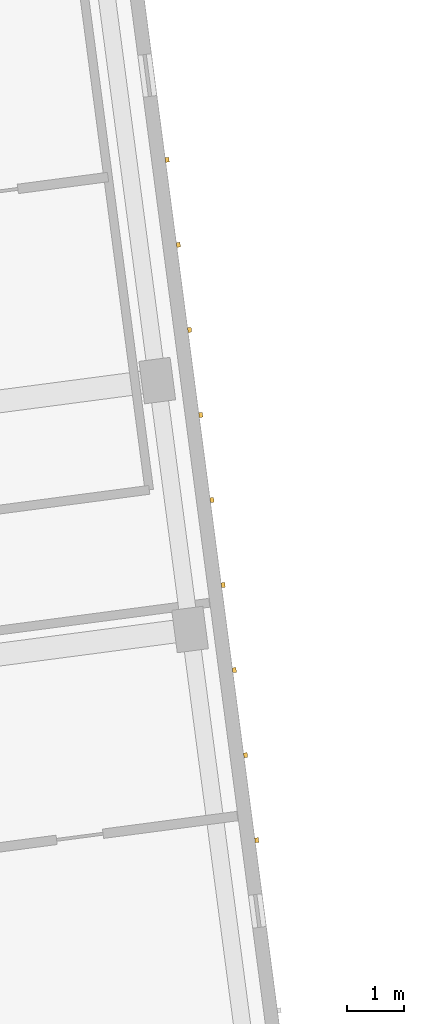
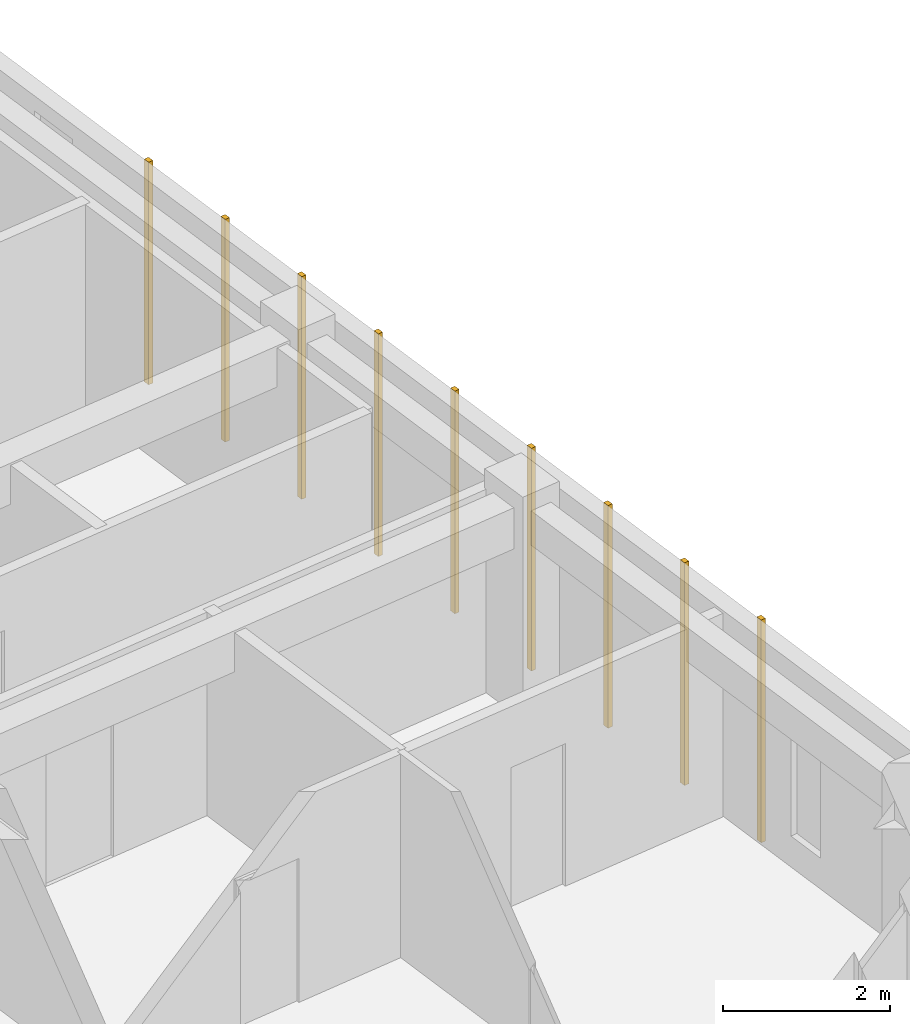
# One storey, part 50 of 68: 9 coverings.
"""IFC4 building model written with IfcOpenShell, lengths in metres."""

from ifc_helpers import new_model, si_unit, direction, frame, origin, origin_2d, place, context, subcontext, project, spatial, rectangle, extrude, material, layer, layer_set, type_object, element, save


model = new_model("IFC4")

# Units and contexts
model_context = context("Model", 3, precision=1e-05, world=origin(), true_north=direction((0.0, 1.0)))
body_context = subcontext(model_context, "Body", "Model", "MODEL_VIEW")
ifc_project = project(units=[si_unit("LENGTHUNIT", "METRE"), si_unit("AREAUNIT", "SQUARE_METRE"), si_unit("VOLUMEUNIT", "CUBIC_METRE"), si_unit("PLANEANGLEUNIT", "RADIAN"), si_unit("MASSUNIT", "GRAM", prefix="KILO")], contexts=[model_context])

# Site, building, storey
site_placement = place(None, origin())
site = spatial("IfcSite", under=ifc_project, at=site_placement, CompositionType="ELEMENT")
building_placement = place(site_placement, origin())
building = spatial("IfcBuilding", under=site, at=building_placement, Name="Kestramere Prow Commons", CompositionType="ELEMENT")
storey_placement = place(building_placement, frame((0.0, 0.0, 18.14990234375)))
storey = spatial("IfcBuildingStorey", under=building, at=storey_placement, Name="L05", CompositionType="ELEMENT", Elevation=18.14990234375)

# Coverings
ifc_material = material(Name="Weathered Zinc-Titanium Standing-Seam Cladding")
ifc_layer = layer(ifc_material, 0.074951171875)
ifc_layer_set = layer_set([ifc_layer], Name="Weathered Zinc-Titanium Standing-Seam Cladding")
covering_type = type_object("IfcCoveringType", Name="COV-CLAD-SEAM", PredefinedType="CLADDING", material=ifc_layer_set)
for number, where, z_axis, x_axis, name in (
    (1, (62.129638671875, 94.857421875, -0.25), (0.0, 0.0, 1.0), (0.13052619222, -0.991444861374, 0.0), "EW-A-L05-EAV Standing-Seam Rib 3"),
    (2, (62.325927734375, 93.36669921875, -0.25), (0.0, 0.0, 1.0), (0.13052619222, -0.991444861374, 0.0), "EW-A-L05-EAV Standing-Seam Rib 4"),
    (3, (62.522216796875, 91.8759765625, -0.25), (0.0, 0.0, 1.0), (0.13052619222, -0.991444861374, 0.0), "EW-A-L05-EAV Standing-Seam Rib 5"),
    (4, (62.718505859375, 90.38525390625, -0.25), (0.0, 0.0, 1.0), (0.13052619222, -0.991444861374, 0.0), "EW-A-L05-EAV Standing-Seam Rib 6"),
    (5, (62.914794921875, 88.894775390625, -0.25), (0.0, 0.0, 1.0), (0.13052619222, -0.991444861374, 0.0), "EW-A-L05-EAV Standing-Seam Rib 7"),
    (6, (63.111083984375, 87.404052734375, -0.25), (0.0, 0.0, 1.0), (0.13052619222, -0.991444861374, 0.0), "EW-A-L05-EAV Standing-Seam Rib 8"),
    (7, (63.30712890625, 85.913330078125, -0.25), (0.0, 0.0, 1.0), (0.13052619222, -0.991444861374, 0.0), "EW-A-L05-EAV Standing-Seam Rib 9"),
    (8, (63.50341796875, 84.422607421875, -0.25), (0.0, 0.0, 1.0), (0.13052619222, -0.991444861374, 0.0), "EW-A-L05-EAV Standing-Seam Rib 10"),
    (9, (63.69970703125, 82.931884765625, -0.25), (0.0, 0.0, 1.0), (0.13052619222, -0.991444861374, 0.0), "EW-A-L05-EAV Standing-Seam Rib 11"),
):
    element("IfcCovering", number, at=place(storey_placement, frame(where, z_axis=z_axis, x_axis=x_axis)), inside=storey, type_object=covering_type, Name=name, PredefinedType="CLADDING", context=body_context, shape_type="SweptSolid", body=[
        extrude(rectangle(XDim=0.0849609375, YDim=0.06494140625, at=origin_2d()), origin(), (0.0, 0.0, 1.0), 3.25),
    ])

save(model, "model.ifc")
